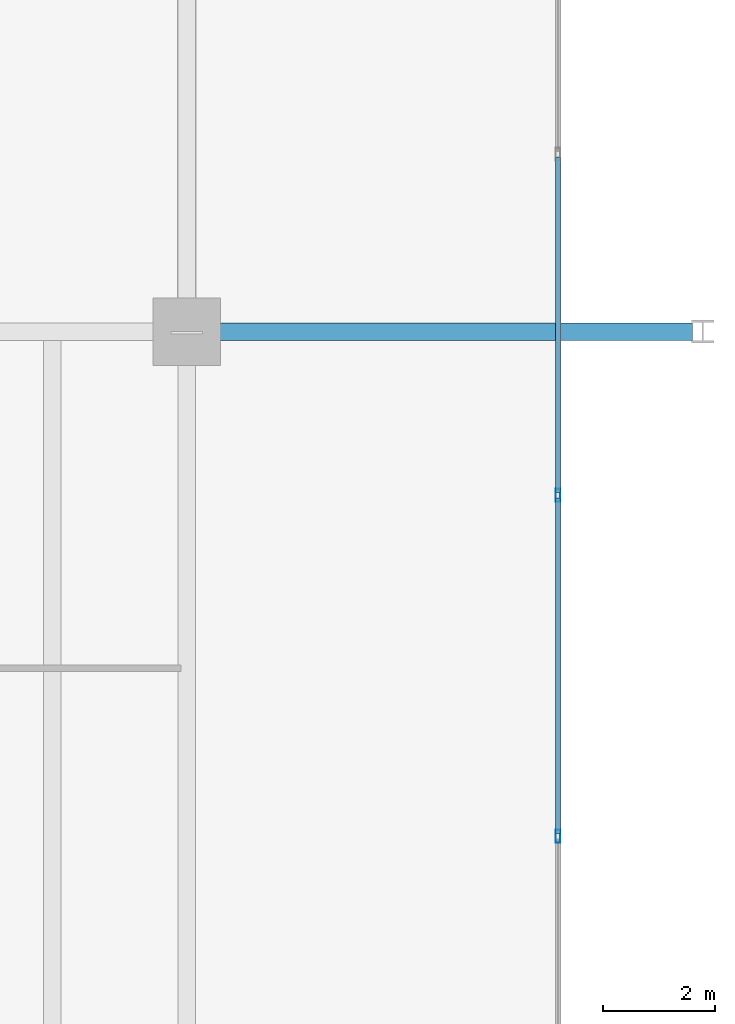
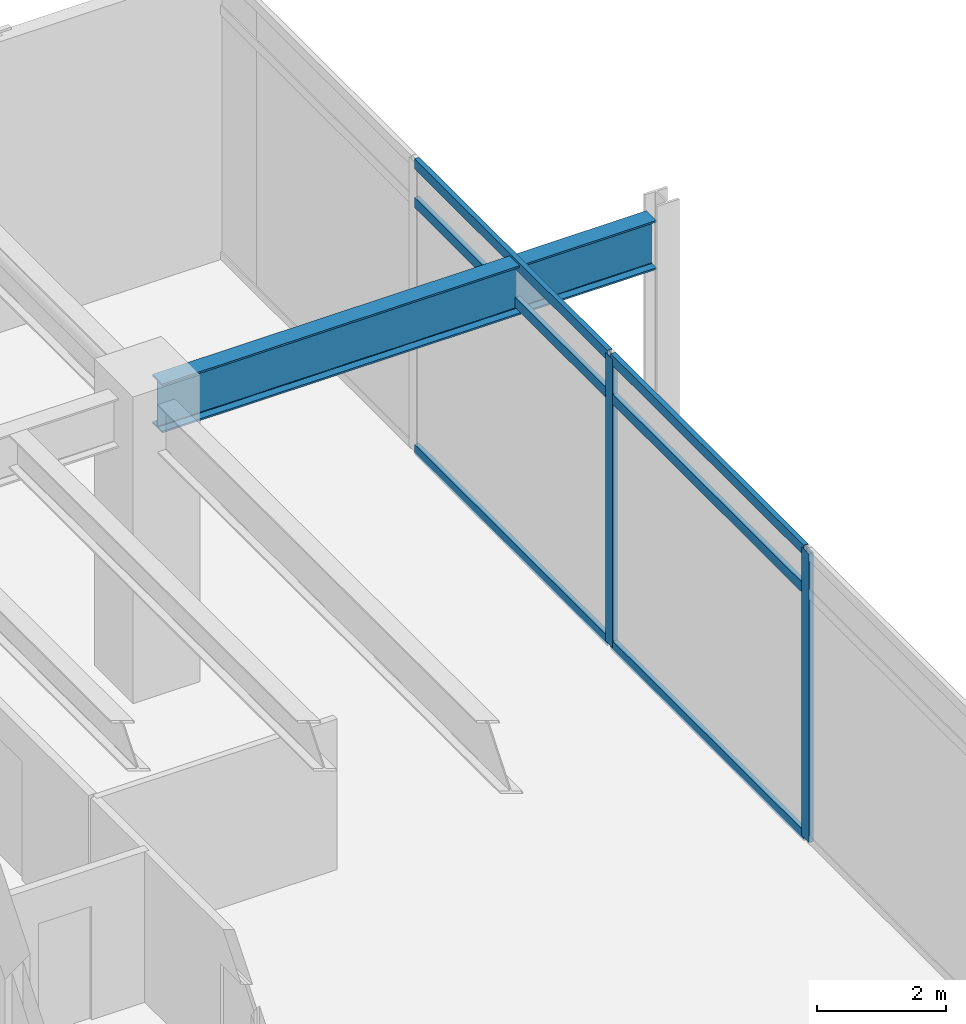
# One storey, part 12 of 25: 8 members, 1 beam, 1 element without a shape of its own.
"""IFC4 building model written with IfcOpenShell, lengths in metres."""

from ifc_helpers import new_model, si_unit, direction, frame, origin, origin_2d, place, context, subcontext, project, spatial, hollow_rectangle, i_section, extrude, material, material_profile, profile_set, type_object, element, aggregate, save


model = new_model("IFC4")

# Units and contexts
model_context = context("Model", 3, precision=1e-05, world=origin(), true_north=direction((0.0, 1.0)))
body_context = subcontext(model_context, "Body", "Model", "MODEL_VIEW")
ifc_project = project(units=[si_unit("LENGTHUNIT", "METRE"), si_unit("AREAUNIT", "SQUARE_METRE"), si_unit("VOLUMEUNIT", "CUBIC_METRE"), si_unit("PLANEANGLEUNIT", "RADIAN"), si_unit("MASSUNIT", "GRAM", prefix="KILO")], contexts=[model_context])

# Site, building, storey
site_placement = place(None, origin())
site = spatial("IfcSite", under=ifc_project, at=site_placement, CompositionType="ELEMENT")
building_placement = place(site_placement, origin())
building = spatial("IfcBuilding", under=site, at=building_placement, Name="Kovane Verandah Tower", CompositionType="ELEMENT")
storey_placement = place(building_placement, frame((0.0, 0.0, 295.199951171875)))
storey = spatial("IfcBuildingStorey", under=building, at=storey_placement, Name="L69", CompositionType="ELEMENT", Elevation=295.199951171875)

# Beam
ifc_material_1 = material(Name="Steel S460", Category="steel")
ifc_material_profile_1 = material_profile(ifc_material_1, i_section(OverallWidth=0.3076171875, OverallDepth=0.926513671875, WebThickness=0.01953125, FlangeThickness=0.031982421875, FilletRadius=0.01904296875, at=origin_2d()), Name="UB914x305x289")
ifc_profile_set_1 = profile_set([ifc_material_profile_1], Name="Steel S460")
beam_type = type_object("IfcBeamType", Name="BM-UB914x289", PredefinedType="BEAM", material=ifc_profile_set_1)
beam_placement = place(storey_placement, frame((58.580078125, 36.5, 5.036865234375), z_axis=(1.0, 0.0, 0.0), x_axis=(0.0, 1.0, 0.0)))
element("IfcBeam", 1, at=beam_placement, inside=storey, type_object=beam_type, Name="L69 Primary Tower Girder G-VE2", PredefinedType="BEAM", context=body_context, shape_type="SweptSolid", body=[
    extrude(i_section(OverallWidth=0.3076171875, OverallDepth=0.926513671875, WebThickness=0.01953125, FlangeThickness=0.031982421875, FilletRadius=0.01904296875, at=origin_2d()), origin(), (0.0, 0.0, 1.0), 8.83984375),
])

# Curtain wall, members
ifc_material_2 = material(Name="Champagne Anodised Aluminium Frame with Low-E Clear Laminated Glass", Category="aluminium")
curtain_wall_type = type_object("IfcCurtainWallType", Name="CW-SYS-05-HIGH", PredefinedType="NOTDEFINED", material=ifc_material_2)
curtain_wall_placement = place(storey_placement, origin())
curtain_wall = element("IfcCurtainWall", 2, at=curtain_wall_placement, inside=storey, type_object=curtain_wall_type, Name="L69 E Unitised Curtain Wall", PredefinedType="NOTDEFINED")
ifc_material_3 = material(Name="Champagne Anodised Aluminium 6063-T6", Category="aluminium")
ifc_material_profile_2 = material_profile(ifc_material_3, hollow_rectangle(XDim=0.0849609375, YDim=0.22998046875, WallThickness=0.00390625, at=origin_2d()), Name="AL85x230x4")
ifc_profile_set_2 = profile_set([ifc_material_profile_2], Name="Champagne Anodised Aluminium 6063-T6")
member_type_1 = type_object("IfcMemberType", Name="CW-MUL-85x230", PredefinedType="MULLION", material=ifc_profile_set_2)
member_1_placement = place(storey_placement, frame((65.017822265625, 27.5, 0.02001953125), z_axis=(0.0, 0.0, 1.0), x_axis=(1.0, 0.0, 0.0)))
member_1 = element("IfcMember", 3, at=member_1_placement, type_object=member_type_1, Name="L69 E Unitised Curtain Wall Mullion 4", PredefinedType="MULLION", context=body_context, shape_type="SweptSolid", body=[
    extrude(hollow_rectangle(XDim=0.0849609375, YDim=0.22998046875, WallThickness=0.00390625, at=origin_2d()), origin(), (0.0, 0.0, 1.0), 5.4599609375),
])
member_2_placement = place(storey_placement, frame((65.017822265625, 33.58056640625, 0.02001953125), z_axis=(0.0, 0.0, 1.0), x_axis=(1.0, 0.0, 0.0)))
member_2 = element("IfcMember", 4, at=member_2_placement, type_object=member_type_1, Name="L69 E Unitised Curtain Wall Mullion 5", PredefinedType="MULLION", context=body_context, shape_type="SweptSolid", body=[
    extrude(hollow_rectangle(XDim=0.0849609375, YDim=0.22998046875, WallThickness=0.00390625, at=origin_2d()), origin(), (0.0, 0.0, 1.0), 5.4599609375),
])
ifc_material_profile_3 = material_profile(ifc_material_3, hollow_rectangle(XDim=0.0849609375, YDim=0.18994140625, WallThickness=0.00390625, at=origin_2d()), Name="AL85x190x4")
ifc_profile_set_3 = profile_set([ifc_material_profile_3], Name="Champagne Anodised Aluminium 6063-T6")
member_type_2 = type_object("IfcMemberType", Name="CW-TRN-85x190", PredefinedType="USERDEFINED", material=ifc_profile_set_3)
member_3_placement = place(storey_placement, frame((65.017822265625, 27.550048828125, 0.050048828125), z_axis=(0.0, 1.0, 0.0), x_axis=(-1.0, 0.0, 0.0)))
member_3 = element("IfcMember", 5, at=member_3_placement, type_object=member_type_2, Name="L69 E Unitised Curtain Wall Transom TB Bay 4", ObjectType="TRANSOM", PredefinedType="USERDEFINED", context=body_context, shape_type="SweptSolid", body=[
    extrude(hollow_rectangle(XDim=0.0849609375, YDim=0.18994140625, WallThickness=0.00390625, at=origin_2d()), origin(), (0.0, 0.0, 1.0), 5.98046875),
])
member_4_placement = place(storey_placement, frame((65.017822265625, 27.550048828125, 4.719970703125), z_axis=(0.0, 1.0, 0.0), x_axis=(-1.0, 0.0, 0.0)))
member_4 = element("IfcMember", 6, at=member_4_placement, type_object=member_type_2, Name="L69 E Unitised Curtain Wall Transom TM Bay 4", ObjectType="TRANSOM", PredefinedType="USERDEFINED", context=body_context, shape_type="SweptSolid", body=[
    extrude(hollow_rectangle(XDim=0.0849609375, YDim=0.18994140625, WallThickness=0.00390625, at=origin_2d()), origin(), (0.0, 0.0, 1.0), 5.98046875),
])
member_5_placement = place(storey_placement, frame((65.017822265625, 27.550048828125, 5.449951171875), z_axis=(0.0, 1.0, 0.0), x_axis=(-1.0, 0.0, 0.0)))
member_5 = element("IfcMember", 7, at=member_5_placement, type_object=member_type_2, Name="L69 E Unitised Curtain Wall Transom TT Bay 4", ObjectType="TRANSOM", PredefinedType="USERDEFINED", context=body_context, shape_type="SweptSolid", body=[
    extrude(hollow_rectangle(XDim=0.0849609375, YDim=0.18994140625, WallThickness=0.00390625, at=origin_2d()), origin(), (0.0, 0.0, 1.0), 5.98046875),
])
member_6_placement = place(storey_placement, frame((65.017822265625, 33.630615234375, 0.050048828125), z_axis=(0.0, 1.0, 0.0), x_axis=(-1.0, 0.0, 0.0)))
member_6 = element("IfcMember", 8, at=member_6_placement, type_object=member_type_2, Name="L69 E Unitised Curtain Wall Transom TB Bay 5", ObjectType="TRANSOM", PredefinedType="USERDEFINED", context=body_context, shape_type="SweptSolid", body=[
    extrude(hollow_rectangle(XDim=0.0849609375, YDim=0.18994140625, WallThickness=0.00390625, at=origin_2d()), origin(), (0.0, 0.0, 1.0), 5.98046875),
])
member_7_placement = place(storey_placement, frame((65.017822265625, 33.630615234375, 4.719970703125), z_axis=(0.0, 1.0, 0.0), x_axis=(-1.0, 0.0, 0.0)))
member_7 = element("IfcMember", 9, at=member_7_placement, type_object=member_type_2, Name="L69 E Unitised Curtain Wall Transom TM Bay 5", ObjectType="TRANSOM", PredefinedType="USERDEFINED", context=body_context, shape_type="SweptSolid", body=[
    extrude(hollow_rectangle(XDim=0.0849609375, YDim=0.18994140625, WallThickness=0.00390625, at=origin_2d()), origin(), (0.0, 0.0, 1.0), 5.98046875),
])
member_8_placement = place(storey_placement, frame((65.017822265625, 33.630615234375, 5.449951171875), z_axis=(0.0, 1.0, 0.0), x_axis=(-1.0, 0.0, 0.0)))
member_8 = element("IfcMember", 10, at=member_8_placement, type_object=member_type_2, Name="L69 E Unitised Curtain Wall Transom TT Bay 5", ObjectType="TRANSOM", PredefinedType="USERDEFINED", context=body_context, shape_type="SweptSolid", body=[
    extrude(hollow_rectangle(XDim=0.0849609375, YDim=0.18994140625, WallThickness=0.00390625, at=origin_2d()), origin(), (0.0, 0.0, 1.0), 5.98046875),
])
aggregate(curtain_wall, [member_1, member_2, member_3, member_4, member_5, member_6, member_7, member_8])

save(model, "model.ifc")
